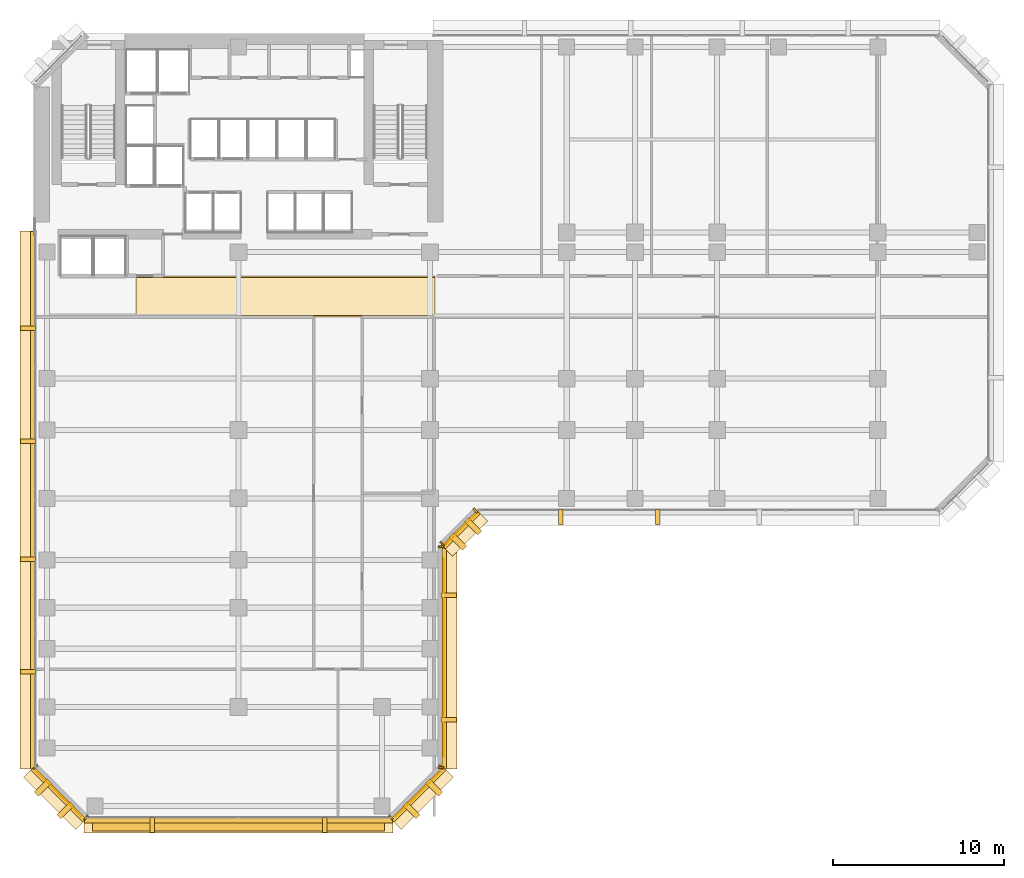
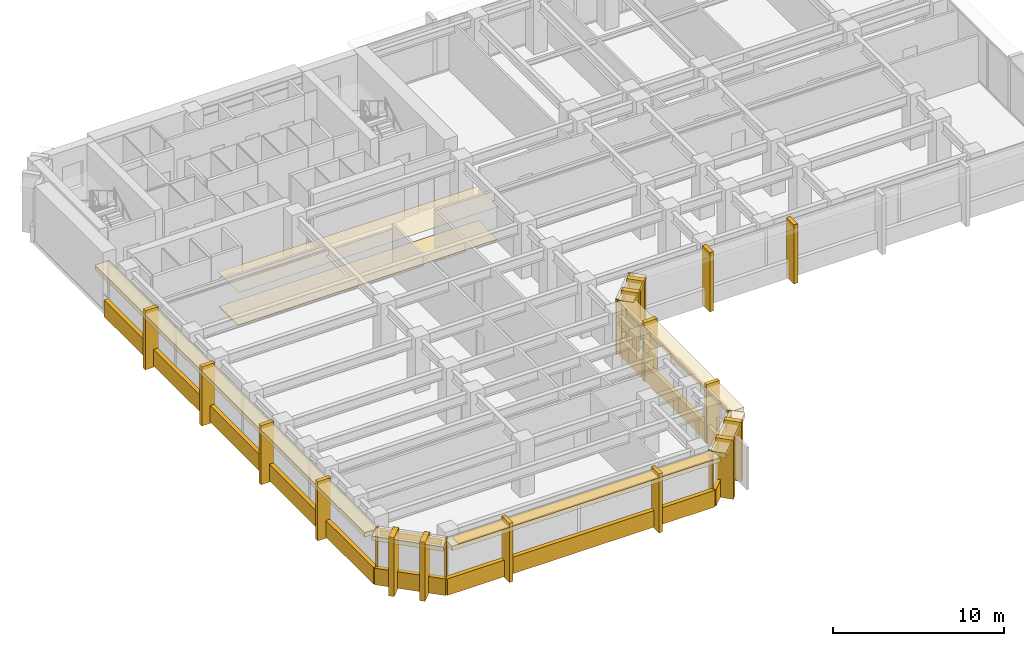
# One storey, part 9 of 13: 42 coverings, 1 shading device.
"""IFC4 building model written with IfcOpenShell, lengths in metres."""

from ifc_helpers import new_model, si_unit, direction, frame, origin, origin_2d, place, context, subcontext, project, spatial, polyline, rectangle, outline, extrude, material, layer, layer_set, type_object, element, save


model = new_model("IFC4")

# Units and contexts
model_context = context("Model", 3, precision=1e-05, world=origin(), true_north=direction((0.0, 1.0)))
body_context = subcontext(model_context, "Body", "Model", "MODEL_VIEW")
ifc_project = project(units=[si_unit("LENGTHUNIT", "METRE"), si_unit("AREAUNIT", "SQUARE_METRE"), si_unit("VOLUMEUNIT", "CUBIC_METRE"), si_unit("PLANEANGLEUNIT", "RADIAN"), si_unit("MASSUNIT", "GRAM", prefix="KILO")], contexts=[model_context])

# Site, building, storey
site_placement = place(None, origin())
site = spatial("IfcSite", under=ifc_project, at=site_placement, CompositionType="ELEMENT")
building_placement = place(site_placement, origin())
building = spatial("IfcBuilding", under=site, at=building_placement, Name="Kefirva Bronze Tower", CompositionType="ELEMENT")
storey_placement = place(building_placement, frame((0.0, 0.0, 73.919921875)))
storey = spatial("IfcBuildingStorey", under=building, at=storey_placement, Name="L17", CompositionType="ELEMENT", Elevation=73.919921875)

# Coverings
ifc_material_1 = material(Name="Acoustic mineral tile")
ifc_layer_1 = layer(ifc_material_1, 0.02490234375, Name="Acoustic mineral tile")
ifc_layer_set_1 = layer_set([ifc_layer_1], Name="Acoustic mineral tile")
covering_type_1 = type_object("IfcCoveringType", Name="Acoustic Mineral Suspended Ceiling 25mm", PredefinedType="CEILING", material=ifc_layer_set_1)
covering_1_placement = place(storey_placement, frame((0.0, 0.0, 2.400146484375)))
element("IfcCovering", 1, at=covering_1_placement, inside=storey, type_object=covering_type_1, Name="L17 Corridor Acoustic Ceiling", PredefinedType="CEILING", context=body_context, shape_type="SweptSolid", body=[
    extrude(outline(polyline([(6.0, 29.39990234375), (23.5, 29.39990234375), (23.5, 31.800048828125), (6.0, 31.800048828125), (6.0, 29.39990234375)])), origin(), (0.0, 0.0, 1.0), 0.02490234375),
])
ifc_material_2 = material(Name="Bronze anodised aluminium", Category="aluminium")
ifc_layer_2 = layer(ifc_material_2, 0.02001953125, Name="Bronze anodised aluminium")
ifc_layer_set_2 = layer_set([ifc_layer_2], Name="Bronze anodised aluminium")
covering_type_2 = type_object("IfcCoveringType", Name="Anodised Bronze Spandrel Cladding 20mm", PredefinedType="CLADDING", material=ifc_layer_set_2)
covering_2_placement = place(storey_placement, frame((12.0, -0.0400390625, -0.15966796875), z_axis=(0.0, 0.0, 1.0), x_axis=(1.0, 0.0, 0.0)))
element("IfcCovering", 2, at=covering_2_placement, inside=storey, type_object=covering_type_2, Name="L17 Streamline Horizontal Spandrel Band 0", PredefinedType="CLADDING", context=body_context, shape_type="SweptSolid", body=[
    extrude(rectangle(XDim=18.0400390625, YDim=0.280029296875, at=origin_2d()), origin(), (0.0, 0.0, 1.0), 1.179931640625),
])
covering_3_placement = place(storey_placement, frame((22.507080078125, 1.492919921875, 3.2900390625), z_axis=(0.0, 0.0, 1.0), x_axis=(0.707106781187, 0.707106781187, 0.0)))
element("IfcCovering", 3, at=covering_3_placement, inside=storey, type_object=covering_type_2, Name="L17 Bronze Spandrel Cladding 1", PredefinedType="CLADDING", context=body_context, shape_type="SweptSolid", body=[
    extrude(rectangle(XDim=3.719482421875, YDim=0.02001953125, at=origin_2d()), origin(), (0.0, 0.0, 1.0), 0.39990234375),
])
for number, where, z_axis, x_axis, name in (
    (4, (20.91162109375, 0.137939453125, 0.0), (0.0, 0.0, 1.0), (0.707106781187, 0.707106781187, 0.0), "L17 Facade Joint Closure Panel 1S"),
    (5, (23.862060546875, 3.08837890625, 0.0), (0.0, 0.0, 1.0), (0.707106781187, 0.707106781187, 0.0), "L17 Facade Joint Closure Panel 1E"),
):
    element("IfcCovering", number, at=place(storey_placement, frame(where, z_axis=z_axis, x_axis=x_axis)), inside=storey, type_object=covering_type_2, Name=name, PredefinedType="CLADDING", context=body_context, shape_type="SweptSolid", body=[
        extrude(rectangle(XDim=0.10009765625, YDim=0.320068359375, at=origin_2d()), origin(), (0.0, 0.0, 1.0), 3.7099609375),
    ])
covering_4_placement = place(storey_placement, frame((22.5283203125, 1.4716796875, -0.15966796875), z_axis=(0.0, 0.0, 1.0), x_axis=(0.707106781187, 0.707106781187, 0.0)))
element("IfcCovering", 6, at=covering_4_placement, inside=storey, type_object=covering_type_2, Name="L17 Streamline Horizontal Spandrel Band 1", PredefinedType="CLADDING", context=body_context, shape_type="SweptSolid", body=[
    extrude(rectangle(XDim=4.28271484375, YDim=0.280029296875, at=origin_2d()), origin(), (0.0, 0.0, 1.0), 1.179931640625),
])
covering_5_placement = place(storey_placement, frame((24.010009765625, 9.5, 3.2900390625), z_axis=(0.0, 0.0, 1.0), x_axis=(0.0, 1.0, 0.0)))
element("IfcCovering", 7, at=covering_5_placement, inside=storey, type_object=covering_type_2, Name="L17 Bronze Spandrel Cladding 2", PredefinedType="CLADDING", context=body_context, shape_type="SweptSolid", body=[
    extrude(rectangle(XDim=11.60107421875, YDim=0.02001953125, at=origin_2d()), origin(), (0.0, 0.0, 1.0), 0.39990234375),
])
for number, where, z_axis, x_axis, name in (
    (8, (23.840087890625, 3.034912109375, 0.0), (0.0, 0.0, 1.0), (0.0, 1.0, 0.0), "L17 Facade Joint Closure Panel 2S"),
    (9, (23.840087890625, 15.965087890625, 0.0), (0.0, 0.0, 1.0), (0.0, 1.0, 0.0), "L17 Facade Joint Closure Panel 2E"),
):
    element("IfcCovering", number, at=place(storey_placement, frame(where, z_axis=z_axis, x_axis=x_axis)), inside=storey, type_object=covering_type_2, Name=name, PredefinedType="CLADDING", context=body_context, shape_type="SweptSolid", body=[
        extrude(rectangle(XDim=0.10009765625, YDim=0.320068359375, at=origin_2d()), origin(), (0.0, 0.0, 1.0), 3.7099609375),
    ])
covering_6_placement = place(storey_placement, frame((24.0400390625, 9.5, -0.15966796875), z_axis=(0.0, 0.0, 1.0), x_axis=(0.0, 1.0, 0.0)))
element("IfcCovering", 10, at=covering_6_placement, inside=storey, type_object=covering_type_2, Name="L17 Streamline Horizontal Spandrel Band 2", PredefinedType="CLADDING", context=body_context, shape_type="SweptSolid", body=[
    extrude(rectangle(XDim=13.0400390625, YDim=0.280029296875, at=origin_2d()), origin(), (0.0, 0.0, 1.0), 1.179931640625),
])
covering_7_placement = place(storey_placement, frame((25.007080078125, 16.992919921875, 3.2900390625), z_axis=(0.0, 0.0, 1.0), x_axis=(0.707106781187, 0.707106781187, 0.0)))
element("IfcCovering", 11, at=covering_7_placement, inside=storey, type_object=covering_type_2, Name="L17 Bronze Spandrel Cladding 3", PredefinedType="CLADDING", context=body_context, shape_type="SweptSolid", body=[
    extrude(rectangle(XDim=2.446533203125, YDim=0.02001953125, at=origin_2d()), origin(), (0.0, 0.0, 1.0), 0.39990234375),
])
for number, where, z_axis, x_axis, name in (
    (12, (23.91162109375, 16.137939453125, 0.0), (0.0, 0.0, 1.0), (0.707106781187, 0.707106781187, 0.0), "L17 Facade Joint Closure Panel 3S"),
    (13, (25.862060546875, 18.08837890625, 0.0), (0.0, 0.0, 1.0), (0.707106781187, 0.707106781187, 0.0), "L17 Facade Joint Closure Panel 3E"),
):
    element("IfcCovering", number, at=place(storey_placement, frame(where, z_axis=z_axis, x_axis=x_axis)), inside=storey, type_object=covering_type_2, Name=name, PredefinedType="CLADDING", context=body_context, shape_type="SweptSolid", body=[
        extrude(rectangle(XDim=0.10009765625, YDim=0.320068359375, at=origin_2d()), origin(), (0.0, 0.0, 1.0), 3.7099609375),
    ])
covering_8_placement = place(storey_placement, frame((25.0283203125, 16.9716796875, -0.15966796875), z_axis=(0.0, 0.0, 1.0), x_axis=(0.707106781187, 0.707106781187, 0.0)))
element("IfcCovering", 14, at=covering_8_placement, inside=storey, type_object=covering_type_2, Name="L17 Streamline Horizontal Spandrel Band 3", PredefinedType="CLADDING", context=body_context, shape_type="SweptSolid", body=[
    extrude(rectangle(XDim=2.868408203125, YDim=0.280029296875, at=origin_2d()), origin(), (0.0, 0.0, 1.0), 1.179931640625),
])
covering_9_placement = place(storey_placement, frame((-0.0400390625, 18.697509765625, -0.15966796875), z_axis=(0.0, 0.0, 1.0), x_axis=(0.0, -1.0, 0.0)))
element("IfcCovering", 15, at=covering_9_placement, inside=storey, type_object=covering_type_2, Name="L17 Streamline Horizontal Spandrel Band 10", PredefinedType="CLADDING", context=body_context, shape_type="SweptSolid", body=[
    extrude(rectangle(XDim=31.43505859375, YDim=0.280029296875, at=origin_2d()), origin(), (0.0, 0.0, 1.0), 1.179931640625),
])
covering_10_placement = place(storey_placement, frame((1.492919921875, 1.492919921875, 3.2900390625), z_axis=(0.0, 0.0, 1.0), x_axis=(0.707106781187, -0.707106781187, 0.0)))
element("IfcCovering", 16, at=covering_10_placement, inside=storey, type_object=covering_type_2, Name="L17 Bronze Spandrel Cladding 7", PredefinedType="CLADDING", context=body_context, shape_type="SweptSolid", body=[
    extrude(rectangle(XDim=3.719482421875, YDim=0.02001953125, at=origin_2d()), origin(), (0.0, 0.0, 1.0), 0.39990234375),
])
for number, where, z_axis, x_axis, name in (
    (17, (0.137939453125, 3.08837890625, 0.0), (0.0, 0.0, 1.0), (0.707106781187, -0.707106781187, 0.0), "L17 Facade Joint Closure Panel 7S"),
    (18, (3.08837890625, 0.137939453125, 0.0), (0.0, 0.0, 1.0), (0.707106781187, -0.707106781187, 0.0), "L17 Facade Joint Closure Panel 7E"),
):
    element("IfcCovering", number, at=place(storey_placement, frame(where, z_axis=z_axis, x_axis=x_axis)), inside=storey, type_object=covering_type_2, Name=name, PredefinedType="CLADDING", context=body_context, shape_type="SweptSolid", body=[
        extrude(rectangle(XDim=0.10009765625, YDim=0.320068359375, at=origin_2d()), origin(), (0.0, 0.0, 1.0), 3.7099609375),
    ])
covering_11_placement = place(storey_placement, frame((1.4716796875, 1.4716796875, -0.15966796875), z_axis=(0.0, 0.0, 1.0), x_axis=(0.707106781187, -0.707106781187, 0.0)))
element("IfcCovering", 19, at=covering_11_placement, inside=storey, type_object=covering_type_2, Name="L17 Streamline Horizontal Spandrel Band 11", PredefinedType="CLADDING", context=body_context, shape_type="SweptSolid", body=[
    extrude(rectangle(XDim=4.28271484375, YDim=0.280029296875, at=origin_2d()), origin(), (0.0, 0.0, 1.0), 1.179931640625),
])

# Shading device
ifc_layer_3 = layer(ifc_material_2, 0.090087890625, Name="Bronze anodised aluminium")
ifc_layer_set_3 = layer_set([ifc_layer_3], Name="Bronze anodised aluminium")
shading_device_type = type_object("IfcShadingDeviceType", Name="Horizontal Bronze Sunshade Band 750mm", PredefinedType="JALOUSIE", material=ifc_layer_set_3)
shading_device_placement = place(storey_placement, frame((12.0, -0.294921875, 3.60498046875), z_axis=(0.0, 0.0, 1.0), x_axis=(1.0, 0.0, 0.0)))
element("IfcShadingDevice", 20, at=shading_device_placement, inside=storey, type_object=shading_device_type, Name="L17 Horizontal Bronze Sunshade Band 0", PredefinedType="JALOUSIE", context=body_context, shape_type="SweptSolid", body=[
    extrude(rectangle(XDim=17.090087890625, YDim=0.75, at=origin_2d()), origin(), (0.0, 0.0, 1.0), 0.090087890625),
])

# Coverings
ifc_material_3 = material(Name="Calcium sulphate access tile")
ifc_layer_4 = layer(ifc_material_3, 0.044921875, Name="Calcium sulphate access tile")
ifc_layer_set_4 = layer_set([ifc_layer_4], Name="Calcium sulphate access tile")
covering_type_3 = type_object("IfcCoveringType", Name="Raised Access Office Flooring 45mm", PredefinedType="FLOORING", material=ifc_layer_set_4)
covering_12_placement = place(storey_placement, origin())
element("IfcCovering", 21, at=covering_12_placement, inside=storey, type_object=covering_type_3, Name="L17 Architectural Finish Flooring", PredefinedType="FLOORING", context=body_context, shape_type="SweptSolid", body=[
    extrude(outline(polyline([(6.0, 29.47998046875), (23.5, 29.47998046875), (23.5, 31.719970703125), (6.0, 31.719970703125), (6.0, 29.47998046875)])), origin(), (0.0, 0.0, 1.0), 0.045166015625),
])
ifc_layer_5 = layer(ifc_material_2, 0.179931640625, Name="Bronze anodised aluminium")
ifc_layer_set_5 = layer_set([ifc_layer_5], Name="Bronze anodised aluminium")
covering_type_4 = type_object("IfcCoveringType", Name="Streamline Bronze Sunshade Eyebrow Cladding 180mm", PredefinedType="CLADDING", material=ifc_layer_set_5)
covering_13_placement = place(storey_placement, frame((12.0, -0.31005859375, 3.39013671875), z_axis=(0.0, 0.0, 1.0), x_axis=(1.0, 0.0, 0.0)))
element("IfcCovering", 22, at=covering_13_placement, inside=storey, type_object=covering_type_4, Name="L17 Streamline Bronze Sunshade Eyebrow 0", PredefinedType="CLADDING", context=body_context, shape_type="SweptSolid", body=[
    extrude(rectangle(XDim=18.080078125, YDim=0.93994140625, at=origin_2d()), origin(), (0.0, 0.0, 1.0), 0.320068359375),
])
covering_14_placement = place(storey_placement, frame((22.71923828125, 1.28076171875, 3.39013671875), z_axis=(0.0, 0.0, 1.0), x_axis=(0.707106781187, 0.707106781187, 0.0)))
element("IfcCovering", 23, at=covering_14_placement, inside=storey, type_object=covering_type_4, Name="L17 Streamline Bronze Sunshade Eyebrow 1", PredefinedType="CLADDING", context=body_context, shape_type="SweptSolid", body=[
    extrude(rectangle(XDim=4.322509765625, YDim=0.93994140625, at=origin_2d()), origin(), (0.0, 0.0, 1.0), 0.320068359375),
])
covering_15_placement = place(storey_placement, frame((24.31005859375, 9.5, 3.39013671875), z_axis=(0.0, 0.0, 1.0), x_axis=(0.0, 1.0, 0.0)))
element("IfcCovering", 24, at=covering_15_placement, inside=storey, type_object=covering_type_4, Name="L17 Streamline Bronze Sunshade Eyebrow 2", PredefinedType="CLADDING", context=body_context, shape_type="SweptSolid", body=[
    extrude(rectangle(XDim=13.080078125, YDim=0.93994140625, at=origin_2d()), origin(), (0.0, 0.0, 1.0), 0.320068359375),
])
covering_16_placement = place(storey_placement, frame((25.21923828125, 16.78076171875, 3.39013671875), z_axis=(0.0, 0.0, 1.0), x_axis=(0.707106781187, 0.707106781187, 0.0)))
element("IfcCovering", 25, at=covering_16_placement, inside=storey, type_object=covering_type_4, Name="L17 Streamline Bronze Sunshade Eyebrow 3", PredefinedType="CLADDING", context=body_context, shape_type="SweptSolid", body=[
    extrude(rectangle(XDim=2.908447265625, YDim=0.93994140625, at=origin_2d()), origin(), (0.0, 0.0, 1.0), 0.320068359375),
])
covering_17_placement = place(storey_placement, frame((-0.31005859375, 18.697509765625, 3.39013671875), z_axis=(0.0, 0.0, 1.0), x_axis=(0.0, -1.0, 0.0)))
element("IfcCovering", 26, at=covering_17_placement, inside=storey, type_object=covering_type_4, Name="L17 Streamline Bronze Sunshade Eyebrow 10", PredefinedType="CLADDING", context=body_context, shape_type="SweptSolid", body=[
    extrude(rectangle(XDim=31.47509765625, YDim=0.93994140625, at=origin_2d()), origin(), (0.0, 0.0, 1.0), 0.320068359375),
])
covering_18_placement = place(storey_placement, frame((1.28076171875, 1.28076171875, 3.39013671875), z_axis=(0.0, 0.0, 1.0), x_axis=(0.707106781187, -0.707106781187, 0.0)))
element("IfcCovering", 27, at=covering_18_placement, inside=storey, type_object=covering_type_4, Name="L17 Streamline Bronze Sunshade Eyebrow 11", PredefinedType="CLADDING", context=body_context, shape_type="SweptSolid", body=[
    extrude(rectangle(XDim=4.322509765625, YDim=0.93994140625, at=origin_2d()), origin(), (0.0, 0.0, 1.0), 0.320068359375),
])
ifc_layer_6 = layer(ifc_material_2, 0.260009765625, Name="Bronze anodised aluminium")
ifc_layer_set_6 = layer_set([ifc_layer_6], Name="Bronze anodised aluminium")
covering_type_5 = type_object("IfcCoveringType", Name="Unbroken Bronze Buttress Fin Cladding 260mm", PredefinedType="CLADDING", material=ifc_layer_set_6)
for number, where, z_axis, x_axis, name in (
    (28, (6.9599609375, -0.300048828125, -0.25), (0.0, 0.0, 1.0), (1.0, 0.0, 0.0), "L17 Unbroken Vertical Bronze Rib Fin 1"),
    (29, (17.0400390625, -0.300048828125, -0.25), (0.0, 0.0, 1.0), (1.0, 0.0, 0.0), "L17 Unbroken Vertical Bronze Rib Fin 2"),
):
    element("IfcCovering", number, at=place(storey_placement, frame(where, z_axis=z_axis, x_axis=x_axis)), inside=storey, type_object=covering_type_5, Name=name, PredefinedType="CLADDING", context=body_context, shape_type="SweptSolid", body=[
        extrude(rectangle(XDim=0.260009765625, YDim=0.8798828125, at=origin_2d()), origin(), (0.0, 0.0, 1.0), 4.2099609375),
    ])
for number, where, z_axis, x_axis, name in (
    (30, (22.122802734375, 0.55712890625, -0.25), (0.0, 0.0, 1.0), (0.707106781187, 0.707106781187, 0.0), "L17 Chamfered Corner Buttress Fin Cladding 3"),
    (31, (23.44287109375, 1.877197265625, -0.25), (0.0, 0.0, 1.0), (0.707106781187, 0.707106781187, 0.0), "L17 Chamfered Corner Buttress Fin Cladding 4"),
):
    element("IfcCovering", number, at=place(storey_placement, frame(where, z_axis=z_axis, x_axis=x_axis)), inside=storey, type_object=covering_type_5, Name=name, PredefinedType="CLADDING", context=body_context, shape_type="SweptSolid", body=[
        extrude(rectangle(XDim=0.340087890625, YDim=1.080078125, at=origin_2d()), origin(), (0.0, 0.0, 1.0), 4.2099609375),
    ])
for number, where, z_axis, x_axis, name in (
    (32, (24.300048828125, 5.860107421875, -0.25), (0.0, 0.0, 1.0), (0.0, 1.0, 0.0), "L17 Unbroken Vertical Bronze Rib Fin 5"),
    (33, (24.300048828125, 13.139892578125, -0.25), (0.0, 0.0, 1.0), (0.0, 1.0, 0.0), "L17 Unbroken Vertical Bronze Rib Fin 6"),
):
    element("IfcCovering", number, at=place(storey_placement, frame(where, z_axis=z_axis, x_axis=x_axis)), inside=storey, type_object=covering_type_5, Name=name, PredefinedType="CLADDING", context=body_context, shape_type="SweptSolid", body=[
        extrude(rectangle(XDim=0.260009765625, YDim=0.8798828125, at=origin_2d()), origin(), (0.0, 0.0, 1.0), 4.2099609375),
    ])
for number, where, z_axis, x_axis, name in (
    (34, (24.8427734375, 16.277099609375, -0.25), (0.0, 0.0, 1.0), (0.707106781187, 0.707106781187, 0.0), "L17 Chamfered Corner Buttress Fin Cladding 7"),
    (35, (25.722900390625, 17.1572265625, -0.25), (0.0, 0.0, 1.0), (0.707106781187, 0.707106781187, 0.0), "L17 Chamfered Corner Buttress Fin Cladding 8"),
):
    element("IfcCovering", number, at=place(storey_placement, frame(where, z_axis=z_axis, x_axis=x_axis)), inside=storey, type_object=covering_type_5, Name=name, PredefinedType="CLADDING", context=body_context, shape_type="SweptSolid", body=[
        extrude(rectangle(XDim=0.340087890625, YDim=1.080078125, at=origin_2d()), origin(), (0.0, 0.0, 1.0), 4.2099609375),
    ])
for number, where, z_axis, x_axis, name in (
    (36, (30.860107421875, 17.699951171875, -0.25), (0.0, 0.0, 1.0), (1.0, 0.0, 0.0), "L17 Unbroken Vertical Bronze Rib Fin 9"),
    (37, (36.530029296875, 17.699951171875, -0.25), (0.0, 0.0, 1.0), (1.0, 0.0, 0.0), "L17 Unbroken Vertical Bronze Rib Fin 10"),
    (38, (-0.300048828125, 28.743896484375, -0.25), (0.0, 0.0, 1.0), (0.0, -1.0, 0.0), "L17 Unbroken Vertical Bronze Rib Fin 25"),
    (39, (-0.300048828125, 22.15087890625, -0.25), (0.0, 0.0, 1.0), (0.0, -1.0, 0.0), "L17 Unbroken Vertical Bronze Rib Fin 26"),
    (40, (-0.300048828125, 15.244140625, -0.25), (0.0, 0.0, 1.0), (0.0, -1.0, 0.0), "L17 Unbroken Vertical Bronze Rib Fin 27"),
    (41, (-0.300048828125, 8.651123046875, -0.25), (0.0, 0.0, 1.0), (0.0, -1.0, 0.0), "L17 Unbroken Vertical Bronze Rib Fin 28"),
):
    element("IfcCovering", number, at=place(storey_placement, frame(where, z_axis=z_axis, x_axis=x_axis)), inside=storey, type_object=covering_type_5, Name=name, PredefinedType="CLADDING", context=body_context, shape_type="SweptSolid", body=[
        extrude(rectangle(XDim=0.260009765625, YDim=0.8798828125, at=origin_2d()), origin(), (0.0, 0.0, 1.0), 4.2099609375),
    ])
for number, where, z_axis, x_axis, name in (
    (42, (0.55712890625, 1.877197265625, -0.25), (0.0, 0.0, 1.0), (0.707106781187, -0.707106781187, 0.0), "L17 Chamfered Corner Buttress Fin Cladding 29"),
    (43, (1.877197265625, 0.55712890625, -0.25), (0.0, 0.0, 1.0), (0.707106781187, -0.707106781187, 0.0), "L17 Chamfered Corner Buttress Fin Cladding 30"),
):
    element("IfcCovering", number, at=place(storey_placement, frame(where, z_axis=z_axis, x_axis=x_axis)), inside=storey, type_object=covering_type_5, Name=name, PredefinedType="CLADDING", context=body_context, shape_type="SweptSolid", body=[
        extrude(rectangle(XDim=0.340087890625, YDim=1.080078125, at=origin_2d()), origin(), (0.0, 0.0, 1.0), 4.2099609375),
    ])

save(model, "model.ifc")
